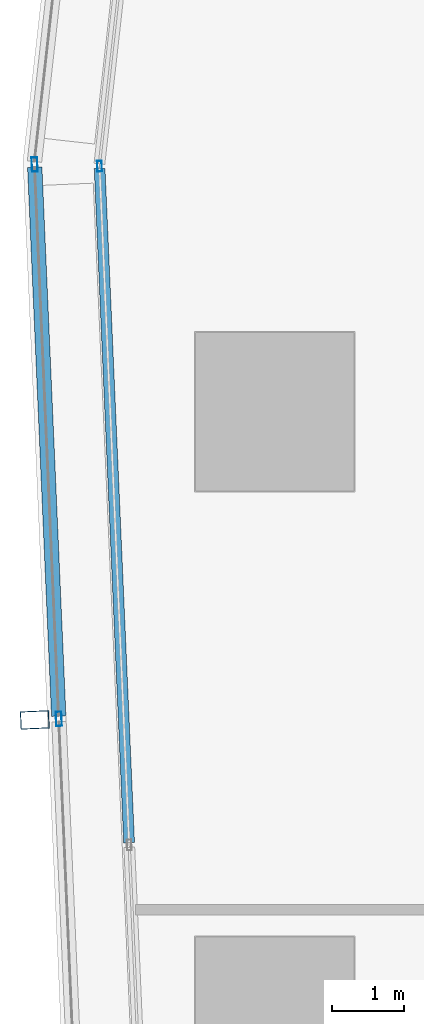
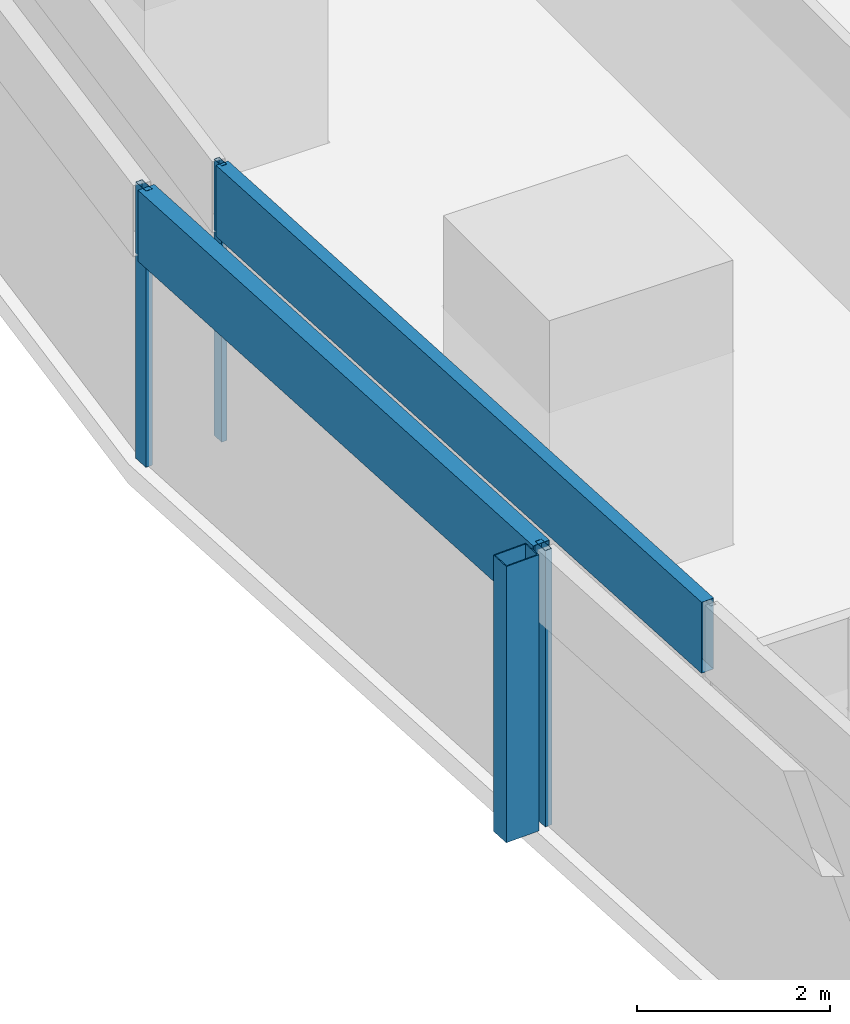
# One storey, part 14 of 42: 6 members, 2 elements without a shape of their own.
"""IFC4 building model written with IfcOpenShell, lengths in metres."""

from ifc_helpers import new_model, si_unit, direction, frame, origin, origin_2d, place, context, subcontext, project, spatial, hollow_rectangle, extrude, material, material_profile, profile_set, type_object, element, aggregate, save


model = new_model("IFC4")

# Units and contexts
model_context = context("Model", 3, precision=1e-05, world=origin(), true_north=direction((0.0, 1.0)))
body_context = subcontext(model_context, "Body", "Model", "MODEL_VIEW")
ifc_project = project(units=[si_unit("LENGTHUNIT", "METRE"), si_unit("AREAUNIT", "SQUARE_METRE"), si_unit("VOLUMEUNIT", "CUBIC_METRE"), si_unit("PLANEANGLEUNIT", "RADIAN"), si_unit("MASSUNIT", "GRAM", prefix="KILO")], contexts=[model_context])

# Site, building, storey
site_placement = place(None, origin())
site = spatial("IfcSite", under=ifc_project, at=site_placement, CompositionType="ELEMENT")
building_placement = place(site_placement, origin())
building = spatial("IfcBuilding", under=site, at=building_placement, Name="Rekha Terrace Tower", CompositionType="ELEMENT")
storey_placement = place(building_placement, frame((0.0, 0.0, 40.39990234375)))
storey = spatial("IfcBuildingStorey", under=building, at=storey_placement, Name="L09", CompositionType="ELEMENT", Elevation=40.39990234375)

# Curtain wall, member
ifc_material_1 = material(Name="Aluminium framing", Category="aluminium")
curtain_wall_type_1 = type_object("IfcCurtainWallType", Name="CW2 double skin outer glazing", PredefinedType="USERDEFINED", material=ifc_material_1)
curtain_wall_1_placement = place(storey_placement, origin())
curtain_wall_1 = element("IfcCurtainWall", 1, at=curtain_wall_1_placement, inside=storey, type_object=curtain_wall_type_1, Name="CW2 double skin outer glazing", ObjectType="DOUBLE SKIN OUTER GLAZING", PredefinedType="USERDEFINED")
ifc_material_2 = material(Name="Steel S355 with fluorocarbon finish", Category="steel")
ifc_material_profile_1 = material_profile(ifc_material_2, hollow_rectangle(XDim=0.25, YDim=0.39990234375, WallThickness=0.012451171875, at=origin_2d()), Name="RHS400x250x12.5")
ifc_profile_set_1 = profile_set([ifc_material_profile_1], Name="Steel S355 with fluorocarbon finish")
member_type_1 = type_object("IfcMemberType", Name="BL1 facade blade RHS 400 x 250", PredefinedType="USERDEFINED", material=ifc_profile_set_1)
member_1_placement = place(storey_placement, frame((5.064208984375, 37.715576171875, 0.0), z_axis=(0.0, 0.0, 1.0), x_axis=(0.04368215933, -0.999045478923, 0.0)))
member_1 = element("IfcMember", 2, at=member_1_placement, type_object=member_type_1, Name="Facade blade", ObjectType="FACADE BLADE", PredefinedType="USERDEFINED", context=body_context, shape_type="SweptSolid", body=[
    extrude(hollow_rectangle(XDim=0.25, YDim=0.39990234375, WallThickness=0.012451171875, at=origin_2d()), origin(), (0.0, 0.0, 1.0), 3.5),
])

# Curtain wall, members
curtain_wall_type_2 = type_object("IfcCurtainWallType", Name="CW1 double skin inner glazing", PredefinedType="USERDEFINED", material=ifc_material_1)
curtain_wall_2_placement = place(storey_placement, origin())
curtain_wall_2 = element("IfcCurtainWall", 3, at=curtain_wall_2_placement, inside=storey, type_object=curtain_wall_type_2, Name="CW1 double skin inner glazing", ObjectType="DOUBLE SKIN INNER GLAZING", PredefinedType="USERDEFINED")
ifc_material_3 = material(Name="Aluminium mullion section", Category="aluminium")
ifc_material_profile_2 = material_profile(ifc_material_3, hollow_rectangle(XDim=0.06494140625, YDim=0.14990234375, WallThickness=0.00390625, at=origin_2d()), Name="AL RHS 65x150")
ifc_profile_set_2 = profile_set([ifc_material_profile_2], Name="Aluminium mullion section")
member_type_2 = type_object("IfcMemberType", Name="CW1 mullion RHS 65 x 150", PredefinedType="MULLION", material=ifc_profile_set_2)
member_2_placement = place(storey_placement, frame((5.964111328125, 45.4111328125, 0.0), z_axis=(0.0, 0.0, 1.0), x_axis=(0.999045462133, 0.043682543337, 0.0)))
member_2 = element("IfcMember", 4, at=member_2_placement, type_object=member_type_2, Name="CW1 mullion 1", PredefinedType="MULLION", context=body_context, shape_type="SweptSolid", body=[
    extrude(hollow_rectangle(XDim=0.06494140625, YDim=0.14990234375, WallThickness=0.00390625, at=origin_2d()), origin(), (0.0, 0.0, 1.0), 3.5),
])
ifc_material_4 = material(Name="Insulated aluminium spandrel box", Category="aluminium")
ifc_material_profile_3 = material_profile(ifc_material_4, hollow_rectangle(XDim=0.14990234375, YDim=0.89990234375, WallThickness=0.0029296875, at=origin_2d()), Name="AL SPANDREL BOX 150x900")
ifc_profile_set_3 = profile_set([ifc_material_profile_3], Name="Insulated aluminium spandrel box")
member_type_3 = type_object("IfcMemberType", Name="CW1 spandrel transom 150 x 900", PredefinedType="USERDEFINED", material=ifc_profile_set_3)
member_3_placement = place(storey_placement, frame((5.96533203125, 45.378662109375, 3.050048828125), z_axis=(0.043689187094, -0.999045171617, 0.0), x_axis=(0.999045171617, 0.043689187094, 0.0)))
member_3 = element("IfcMember", 5, at=member_3_placement, type_object=member_type_3, Name="CW1 spandrel transom 1", ObjectType="TRANSOM", PredefinedType="USERDEFINED", context=body_context, shape_type="SweptSolid", body=[
    extrude(hollow_rectangle(XDim=0.14990234375, YDim=0.89990234375, WallThickness=0.0029296875, at=origin_2d()), origin(), (0.0, 0.0, 1.0), 9.376953125),
])
aggregate(curtain_wall_2, [member_2, member_3])

# Member
ifc_material_profile_4 = material_profile(ifc_material_3, hollow_rectangle(XDim=0.080078125, YDim=0.199951171875, WallThickness=0.00390625, at=origin_2d()), Name="AL RHS 80x200")
ifc_profile_set_4 = profile_set([ifc_material_profile_4], Name="Aluminium mullion section")
member_type_4 = type_object("IfcMemberType", Name="CW2 mullion RHS 80 x 200", PredefinedType="MULLION", material=ifc_profile_set_4)
member_4_placement = place(storey_placement, frame((5.062255859375, 45.4345703125, 0.0), z_axis=(0.0, 0.0, 1.0), x_axis=(0.999045462131, 0.043682543372, 0.0)))
member_4 = element("IfcMember", 6, at=member_4_placement, type_object=member_type_4, Name="CW2 mullion 1", PredefinedType="MULLION", context=body_context, shape_type="SweptSolid", body=[
    extrude(hollow_rectangle(XDim=0.080078125, YDim=0.199951171875, WallThickness=0.00390625, at=origin_2d()), origin(), (0.0, 0.0, 1.0), 3.5),
])

member_5_placement = place(storey_placement, frame((5.39892578125, 37.730224609375, 0.0), z_axis=(0.0, 0.0, 1.0), x_axis=(0.999045462131, 0.043682543372, 0.0)))
member_5 = element("IfcMember", 7, at=member_5_placement, type_object=member_type_4, Name="CW2 mullion 2", PredefinedType="MULLION", context=body_context, shape_type="SweptSolid", body=[
    extrude(hollow_rectangle(XDim=0.080078125, YDim=0.199951171875, WallThickness=0.00390625, at=origin_2d()), origin(), (0.0, 0.0, 1.0), 3.5),
])

ifc_material_profile_5 = material_profile(ifc_material_4, hollow_rectangle(XDim=0.199951171875, YDim=0.89990234375, WallThickness=0.0029296875, at=origin_2d()), Name="AL SPANDREL BOX 200x900")
ifc_profile_set_5 = profile_set([ifc_material_profile_5], Name="Insulated aluminium spandrel box")
member_type_5 = type_object("IfcMemberType", Name="CW2 spandrel transom 200 x 900", PredefinedType="USERDEFINED", material=ifc_profile_set_5)
member_6_placement = place(storey_placement, frame((5.06396484375, 45.39453125, 3.050048828125), z_axis=(0.043666283256, -0.99904617296, 0.0), x_axis=(0.99904617296, 0.043666283256, 0.0)))
member_6 = element("IfcMember", 8, at=member_6_placement, type_object=member_type_5, Name="CW2 spandrel transom 1", ObjectType="TRANSOM", PredefinedType="USERDEFINED", context=body_context, shape_type="SweptSolid", body=[
    extrude(hollow_rectangle(XDim=0.199951171875, YDim=0.89990234375, WallThickness=0.0029296875, at=origin_2d()), origin(), (0.0, 0.0, 1.0), 7.6318359375),
])

aggregate(curtain_wall_1, [member_4, member_5, member_6, member_1])

save(model, "model.ifc")
